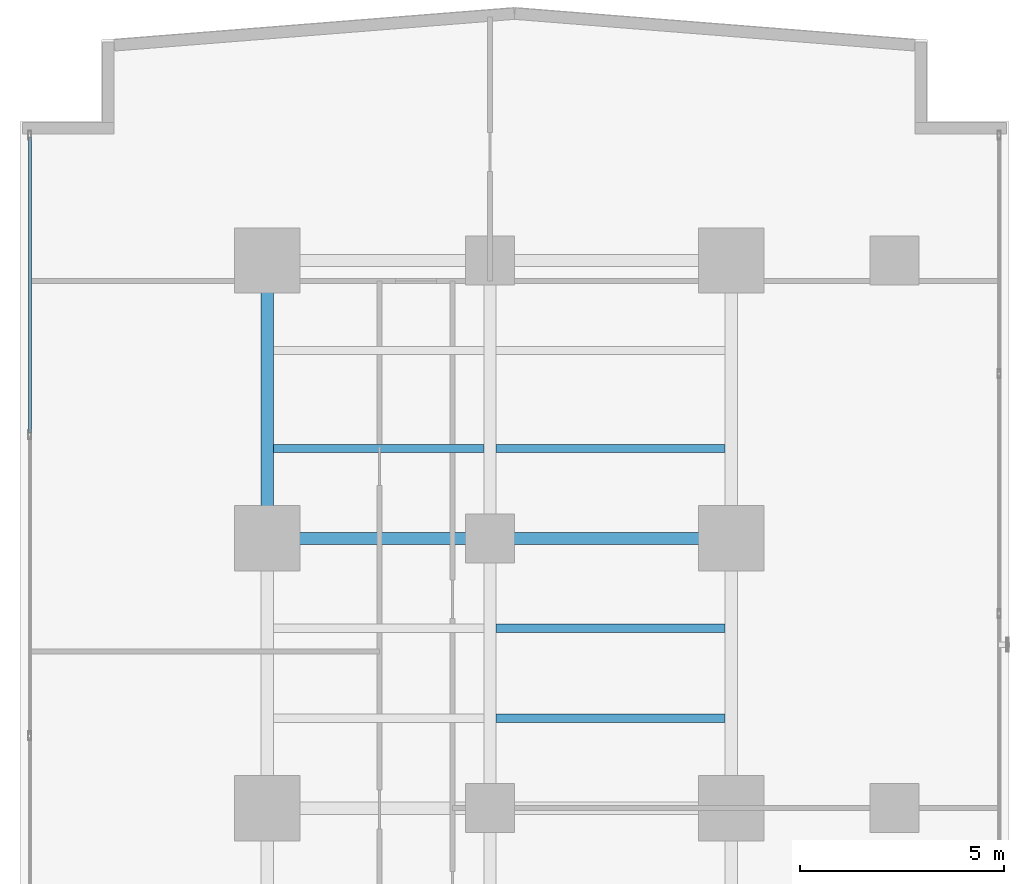
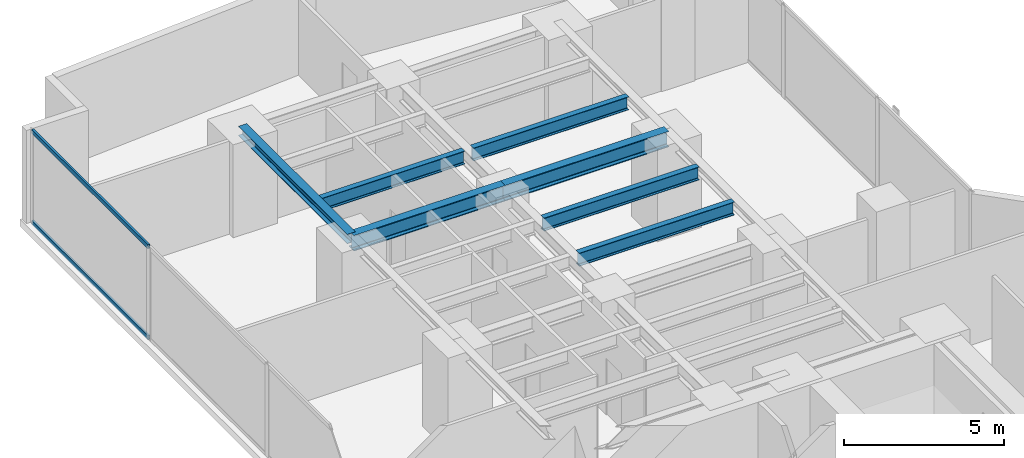
# One storey, part 16 of 27: 7 beams, 2 members, 1 element without a shape of its own.
"""IFC4 building model written with IfcOpenShell, lengths in metres."""

from ifc_helpers import new_model, si_unit, direction, frame, origin, origin_with_axes, origin_2d, place, context, subcontext, project, spatial, hollow_rectangle, i_section, extrude, source, transform, mapped, material, layer, layer_set, material_profile, profile_set, type_object, element, aggregate, save


model = new_model("IFC4")

# Units and contexts
model_context = context("Model", 3, precision=1e-05, world=origin(), true_north=direction((0.0, 1.0)))
body_context = subcontext(model_context, "Body", "Model", "MODEL_VIEW")
ifc_project = project(units=[si_unit("LENGTHUNIT", "METRE"), si_unit("AREAUNIT", "SQUARE_METRE"), si_unit("VOLUMEUNIT", "CUBIC_METRE"), si_unit("PLANEANGLEUNIT", "RADIAN"), si_unit("MASSUNIT", "GRAM", prefix="KILO")], contexts=[model_context])

# Site, building, storey
site_placement = place(None, origin())
site = spatial("IfcSite", under=ifc_project, at=site_placement, CompositionType="ELEMENT")
building_placement = place(site_placement, origin())
building = spatial("IfcBuilding", under=site, at=building_placement, Name="Kolvaren Waterfront Exchange", CompositionType="ELEMENT")
storey_placement = place(building_placement, frame((0.0, 0.0, 33.39990234375)))
storey = spatial("IfcBuildingStorey", under=building, at=storey_placement, Name="L08", CompositionType="ELEMENT", Elevation=33.39990234375)

# Beams
ifc_material_1 = material(Name="Steel S355", Category="steel")
ifc_material_profile_1 = material_profile(ifc_material_1, i_section(OverallWidth=0.300048828125, OverallDepth=0.360107421875, WebThickness=0.012451171875, FlangeThickness=0.0224609375, FilletRadius=0.027099609375, at=origin_2d()), Name="HEB360")
ifc_profile_set_1 = profile_set([ifc_material_profile_1], Name="Steel S355")
beam_type_1 = type_object("IfcBeamType", Name="STR-BM-HEB360", PredefinedType="SPANDREL", material=ifc_profile_set_1)
beam_1_placement = place(storey_placement, frame((7.449951171875, 37.800048828125, 3.360107421875), z_axis=(0.0, 1.0, 0.0), x_axis=(-1.0, 0.0, 0.0)))
element("IfcBeam", 1, at=beam_1_placement, inside=storey, type_object=beam_type_1, Name="L08 north-arm edge beam 3", PredefinedType="SPANDREL", context=body_context, shape_type="SweptSolid", body=[
    extrude(i_section(OverallWidth=0.300048828125, OverallDepth=0.360107421875, WebThickness=0.012451171875, FlangeThickness=0.0224609375, FilletRadius=0.027099609375, at=origin_2d()), origin(), (0.0, 0.0, 1.0), 6.800048828125),
])
ifc_material_profile_2 = material_profile(ifc_material_1, i_section(OverallWidth=0.300048828125, OverallDepth=0.60009765625, WebThickness=0.015380859375, FlangeThickness=0.030029296875, FilletRadius=0.027099609375, at=origin_2d()), Name="HEB600")
ifc_profile_set_2 = profile_set([ifc_material_profile_2], Name="Steel S355")
beam_type_2 = type_object("IfcBeamType", Name="STR-BM-HEB600", PredefinedType="BEAM", material=ifc_profile_set_2)
beam_2_placement = place(storey_placement, frame((7.449951171875, 37.800048828125, 3.239990234375), z_axis=(1.0, 0.0, 0.0), x_axis=(0.0, 1.0, 0.0)))
element("IfcBeam", 2, at=beam_2_placement, inside=storey, type_object=beam_type_2, Name="L08 north-arm girder 3A", PredefinedType="BEAM", context=body_context, shape_type="SweptSolid", body=[
    extrude(i_section(OverallWidth=0.300048828125, OverallDepth=0.60009765625, WebThickness=0.015380859375, FlangeThickness=0.030029296875, FilletRadius=0.027099609375, at=origin_2d()), origin(), (0.0, 0.0, 1.0), 5.449951171875),
])
beam_3_placement = place(storey_placement, frame((12.89990234375, 37.800048828125, 3.239990234375), z_axis=(1.0, 0.0, 0.0), x_axis=(0.0, 1.0, 0.0)))
element("IfcBeam", 3, at=beam_3_placement, inside=storey, type_object=beam_type_2, Name="L08 north-arm girder 3B", PredefinedType="BEAM", context=body_context, shape_type="SweptSolid", body=[
    extrude(i_section(OverallWidth=0.300048828125, OverallDepth=0.60009765625, WebThickness=0.015380859375, FlangeThickness=0.030029296875, FilletRadius=0.027099609375, at=origin_2d()), origin(), (0.0, 0.0, 1.0), 5.900146484375),
])
ifc_material_profile_3 = material_profile(ifc_material_1, i_section(OverallWidth=0.199951171875, OverallDepth=0.5, WebThickness=0.01025390625, FlangeThickness=0.01611328125, FilletRadius=0.02099609375, at=origin_2d()), Name="IPE500")
ifc_profile_set_3 = profile_set([ifc_material_profile_3], Name="Steel S355")
beam_type_3 = type_object("IfcBeamType", Name="STR-BM-IPE500", PredefinedType="JOIST", material=ifc_profile_set_3)
for number, where, z_axis, x_axis, name in (
    (4, (13.052001953125, 33.39990234375, 3.2900390625), (1.0, 0.0, 0.0), (0.0, 1.0, 0.0), "L08 north-arm composite joist 3B"),
    (5, (13.052001953125, 35.60009765625, 3.2900390625), (1.0, 0.0, 0.0), (0.0, 1.0, 0.0), "L08 north-arm composite joist 4B"),
):
    element("IfcBeam", number, at=place(storey_placement, frame(where, z_axis=z_axis, x_axis=x_axis)), inside=storey, type_object=beam_type_3, Name=name, PredefinedType="JOIST", context=body_context, shape_type="SweptSolid", body=[
        extrude(i_section(OverallWidth=0.199951171875, OverallDepth=0.5, WebThickness=0.01025390625, FlangeThickness=0.01611328125, FilletRadius=0.02099609375, at=origin_2d()), origin(), (0.0, 0.0, 1.0), 5.595947265625),
    ])
beam_4_placement = place(storey_placement, frame((7.60205078125, 40.0, 3.2900390625), z_axis=(1.0, 0.0, 0.0), x_axis=(0.0, 1.0, 0.0)))
element("IfcBeam", 6, at=beam_4_placement, inside=storey, type_object=beam_type_3, Name="L08 north-arm composite joist 5A", PredefinedType="JOIST", context=body_context, shape_type="SweptSolid", body=[
    extrude(i_section(OverallWidth=0.199951171875, OverallDepth=0.5, WebThickness=0.01025390625, FlangeThickness=0.01611328125, FilletRadius=0.02099609375, at=origin_2d()), origin(), (0.0, 0.0, 1.0), 5.14599609375),
])
beam_5_placement = place(storey_placement, frame((13.052001953125, 40.0, 3.2900390625), z_axis=(1.0, 0.0, 0.0), x_axis=(0.0, 1.0, 0.0)))
element("IfcBeam", 7, at=beam_5_placement, inside=storey, type_object=beam_type_3, Name="L08 north-arm composite joist 5B", PredefinedType="JOIST", context=body_context, shape_type="SweptSolid", body=[
    extrude(i_section(OverallWidth=0.199951171875, OverallDepth=0.5, WebThickness=0.01025390625, FlangeThickness=0.01611328125, FilletRadius=0.02099609375, at=origin_2d()), origin(), (0.0, 0.0, 1.0), 5.595947265625),
])

# Curtain wall, members
ifc_material_2 = material(Name="Anodised aluminium 6063-T6", Category="aluminium")
ifc_layer = layer(ifc_material_2, 0.219970703125, Name="Anodised aluminium 6063-T6")
ifc_layer_set = layer_set([ifc_layer], Name="Anodised aluminium 6063-T6")
curtain_wall_type = type_object("IfcCurtainWallType", Name="ARC-CW-SYS2", PredefinedType="USERDEFINED", material=ifc_layer_set)
curtain_wall_placement = place(storey_placement, origin())
curtain_wall = element("IfcCurtainWall", 8, at=curtain_wall_placement, inside=storey, type_object=curtain_wall_type, Name="L08 stick curtain wall CW2 (CW-L08-W)", ObjectType="STICK CURTAIN WALL", PredefinedType="USERDEFINED")
ifc_material_profile_4 = material_profile(ifc_material_2, hollow_rectangle(XDim=0.074951171875, YDim=0.159912109375, WallThickness=0.00439453125, at=origin_2d()), Name="ALU-TRN-160x75x4.5")
ifc_profile_set_4 = profile_set([ifc_material_profile_4], Name="Anodised aluminium 6063-T6")
member_type = type_object("IfcMemberType", Name="ARC-CWT-160", PredefinedType="USERDEFINED", material=ifc_profile_set_4)
shared_shape = source(origin_with_axes(), body_context, "Body", "SweptSolid", [
    extrude(hollow_rectangle(XDim=0.074951171875, YDim=0.159912109375, WallThickness=0.00439453125, at=origin_2d()), origin(), (0.0, 0.0, 1.0), 7.246826171875),
])
member_1_placement = place(storey_placement, frame((1.639892578125, 40.373291015625, 0.03759765625), z_axis=(0.0, 1.0, 0.0), x_axis=(-1.0, 0.0, 0.0)))
member_1 = element("IfcMember", 9, at=member_1_placement, type_object=member_type, Name="CW2 transom 6.1", ObjectType="TRANSOM", PredefinedType="USERDEFINED", context=body_context, shape_type="MappedRepresentation", body=[
    mapped(shared_shape, transform((0.0, 0.0, 0.0), x_axis=(1.0, 0.0, 0.0), y_axis=(0.0, 1.0, 0.0), z_axis=(0.0, 0.0, 1.0), scale=1.0)),
])
member_2_placement = place(storey_placement, frame((1.639892578125, 40.373291015625, 3.502685546875), z_axis=(0.0, 1.0, 0.0), x_axis=(-1.0, 0.0, 0.0)))
member_2 = element("IfcMember", 10, at=member_2_placement, type_object=member_type, Name="CW2 transom 6.2", ObjectType="TRANSOM", PredefinedType="USERDEFINED", context=body_context, shape_type="MappedRepresentation", body=[
    mapped(shared_shape, transform((0.0, 0.0, 0.0), x_axis=(1.0, 0.0, 0.0), y_axis=(0.0, 1.0, 0.0), z_axis=(0.0, 0.0, 1.0), scale=1.0)),
])
aggregate(curtain_wall, [member_1, member_2])

save(model, "model.ifc")
